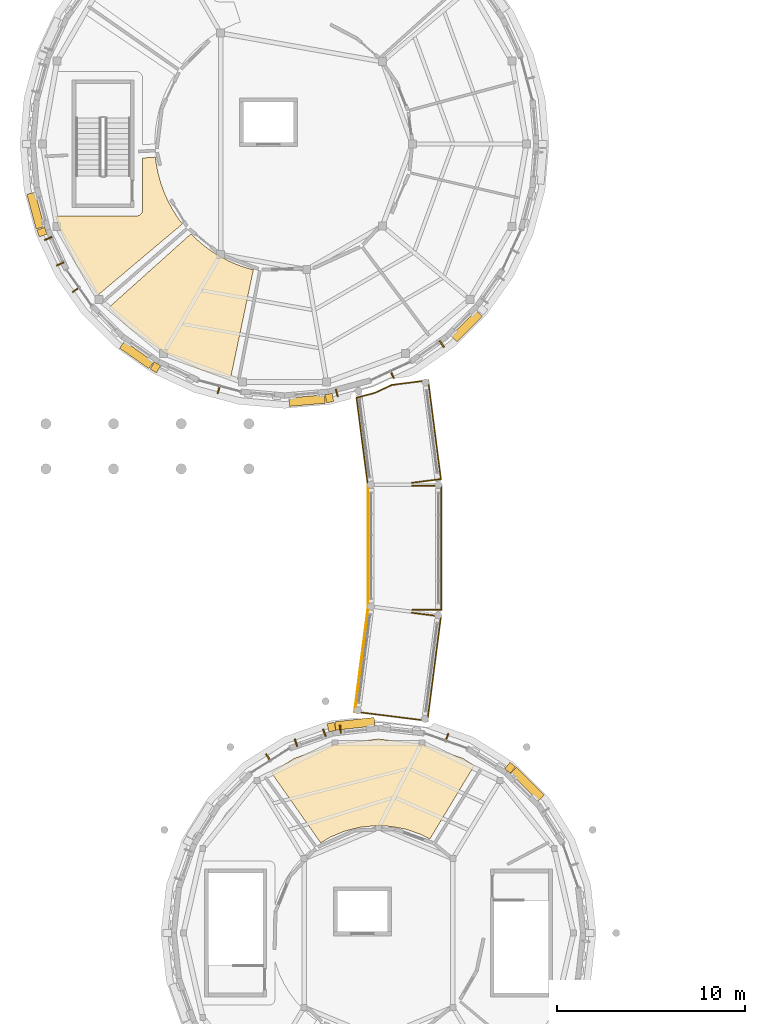
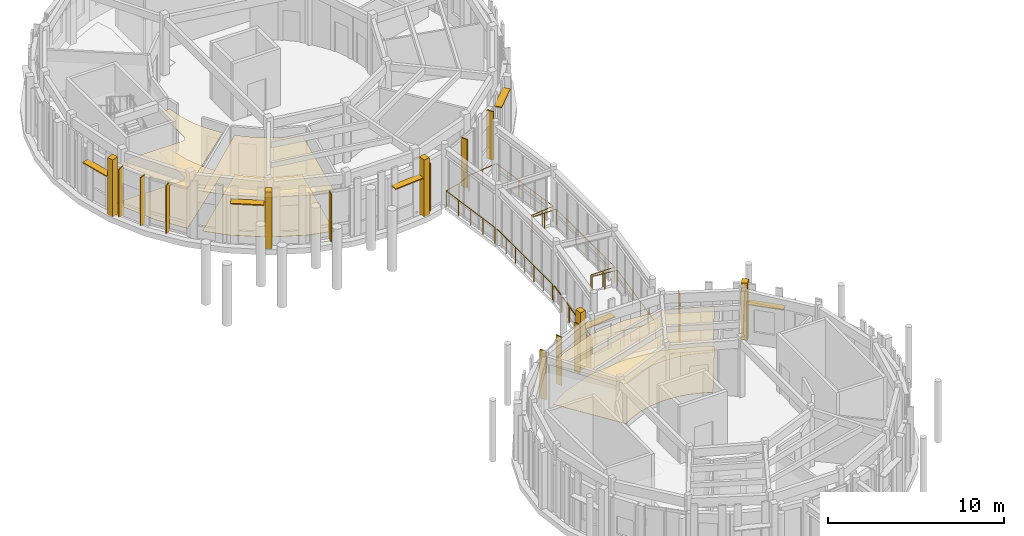
# One storey, part 73 of 80: 18 shading devices, 11 coverings, 6 railings.
"""IFC4 building model written with IfcOpenShell, lengths in metres."""

from ifc_helpers import new_model, si_unit, direction, frame, origin, origin_2d, place, context, subcontext, project, spatial, polyline, rectangle, circle, outline, extrude, material, layer, layer_set, type_object, element, save


model = new_model("IFC4")

# Units and contexts
model_context = context("Model", 3, precision=1e-05, world=origin(), true_north=direction((0.0, 1.0)))
body_context = subcontext(model_context, "Body", "Model", "MODEL_VIEW")
ifc_project = project(units=[si_unit("LENGTHUNIT", "METRE"), si_unit("AREAUNIT", "SQUARE_METRE"), si_unit("VOLUMEUNIT", "CUBIC_METRE"), si_unit("PLANEANGLEUNIT", "RADIAN"), si_unit("MASSUNIT", "GRAM", prefix="KILO")], contexts=[model_context])

# Site, building, storey
site_placement = place(None, origin())
site = spatial("IfcSite", under=ifc_project, at=site_placement, CompositionType="ELEMENT")
building_placement = place(site_placement, origin())
building = spatial("IfcBuilding", under=site, at=building_placement, Name="Aldenvaro Health Centre", CompositionType="ELEMENT")
storey_placement = place(building_placement, frame((0.0, 0.0, 4.550048828125)))
storey = spatial("IfcBuildingStorey", under=building, at=storey_placement, Name="L01", CompositionType="ELEMENT", Elevation=4.550048828125)

# Coverings
ifc_material_1 = material(Name="Antimicrobial Mineral Fibre Ceiling")
ifc_layer_1 = layer(ifc_material_1, 0.01806640625, Name="Antimicrobial Mineral Fibre Ceiling")
ifc_layer_set_1 = layer_set([ifc_layer_1], Name="Antimicrobial Mineral Fibre Ceiling")
covering_type_1 = type_object("IfcCoveringType", Name="COV-CLG-ACT18", PredefinedType="CEILING", material=ifc_layer_set_1)
covering_1_placement = place(storey_placement, frame((0.0, 0.0, 2.75)))
element("IfcCovering", 1, at=covering_1_placement, inside=storey, type_object=covering_type_1, Name="D3-L01-R01 Suspended Ceiling", PredefinedType="CEILING", context=body_context, shape_type="SweptSolid", body=[
    extrude(outline(polyline([(25.73095703125, 62.756103515625), (25.698974609375, 62.76904296875), (24.950927734375, 63.02197265625), (24.91796875, 63.031005859375), (24.14111328125, 63.173095703125), (24.10693359375, 63.177001953125), (23.318115234375, 63.20703125), (23.282958984375, 63.205078125), (22.4990234375, 63.12109375), (22.465087890625, 63.114990234375), (21.699951171875, 62.91796875), (21.6669921875, 62.906982421875), (20.93896484375, 62.60302734375), (20.907958984375, 62.5869140625), (20.423095703125, 62.2958984375), (17.800048828125, 66.028076171875), (19.02294921875, 66.7958984375), (21.2041015625, 67.55908203125), (23.5, 67.818115234375), (25.7958984375, 67.55908203125), (27.97705078125, 66.7958984375), (28.593994140625, 66.408935546875), (26.235107421875, 62.4990234375), (25.73095703125, 62.756103515625)])), origin(), (0.0, 0.0, 1.0), 0.01806640625),
])
covering_2_placement = place(storey_placement, frame((0.0, 0.0, 2.75)))
element("IfcCovering", 2, at=covering_2_placement, inside=storey, type_object=covering_type_1, Name="D4-L01-R04 Suspended Ceiling", PredefinedType="CEILING", context=body_context, shape_type="SweptSolid", body=[
    extrude(outline(polyline([(8.554931640625, 91.43896484375), (7.39794921875, 93.091064453125), (6.4541015625, 95.115966796875), (6.30810546875, 95.659912109375), (10.6201171875, 95.659912109375), (10.632080078125, 95.659912109375), (10.639892578125, 95.660888671875), (10.6630859375, 95.6630859375), (10.6708984375, 95.6640625), (10.694091796875, 95.6689453125), (10.701904296875, 95.6708984375), (10.72412109375, 95.677001953125), (10.73095703125, 95.679931640625), (10.7529296875, 95.68896484375), (10.760009765625, 95.69189453125), (10.781005859375, 95.7041015625), (10.7880859375, 95.7080078125), (10.806884765625, 95.720947265625), (10.81396484375, 95.72509765625), (10.83203125, 95.739990234375), (10.837890625, 95.74609375), (10.85400390625, 95.761962890625), (10.860107421875, 95.76806640625), (10.875, 95.785888671875), (10.87890625, 95.79296875), (10.89208984375, 95.81201171875), (10.89599609375, 95.819091796875), (10.907958984375, 95.840087890625), (10.910888671875, 95.846923828125), (10.919921875, 95.868896484375), (10.923095703125, 95.8759765625), (10.928955078125, 95.89794921875), (10.930908203125, 95.906005859375), (10.93603515625, 95.928955078125), (10.93701171875, 95.93701171875), (10.93896484375, 95.9599609375), (10.93994140625, 95.968017578125), (10.93994140625, 95.97998046875), (10.93994140625, 98.743896484375), (11.632080078125, 98.791015625), (11.6630859375, 98.4970703125), (11.666015625, 98.47802734375), (11.763916015625, 97.9609375), (11.76806640625, 97.94189453125), (11.906005859375, 97.43408203125), (11.912109375, 97.416015625), (12.090087890625, 96.919921875), (12.096923828125, 96.903076171875), (12.31298828125, 96.423095703125), (12.322021484375, 96.406005859375), (12.574951171875, 95.944091796875), (12.5849609375, 95.927978515625), (12.8740234375, 95.488037109375), (12.885009765625, 95.471923828125), (13.06689453125, 95.239013671875), (8.554931640625, 91.43896484375)])), origin(), (0.0, 0.0, 1.0), 0.01806640625),
])
covering_3_placement = place(storey_placement, frame((0.0, 0.0, 2.75)))
element("IfcCovering", 3, at=covering_3_placement, inside=storey, type_object=covering_type_1, Name="D4-L01-R05 Suspended Ceiling", PredefinedType="CEILING", context=body_context, shape_type="SweptSolid", body=[
    extrude(outline(polyline([(13.72998046875, 94.5009765625), (13.743896484375, 94.487060546875), (14.138916015625, 94.139892578125), (14.154052734375, 94.1279296875), (14.575927734375, 93.81298828125), (14.592041015625, 93.802001953125), (15.037109375, 93.52099609375), (15.052978515625, 93.510986328125), (15.51904296875, 93.26611328125), (15.537109375, 93.258056640625), (16.02099609375, 93.050048828125), (16.0380859375, 93.0439453125), (16.537109375, 92.875), (16.554931640625, 92.868896484375), (16.842041015625, 92.797119140625), (15.631103515625, 87.048095703125), (14.115966796875, 87.4541015625), (12.091064453125, 88.39794921875), (10.260009765625, 89.679931640625), (9.15087890625, 90.7890625), (13.52392578125, 94.712890625), (13.72998046875, 94.5009765625)])), origin(), (0.0, 0.0, 1.0), 0.01806640625),
])
ifc_material_2 = material(Name="Honed Sonoran Buff Limestone", Category="masonry")
ifc_layer_2 = layer(ifc_material_2, 0.280029296875, Name="Honed Sonoran Buff Limestone", Category="masonry")
ifc_layer_set_2 = layer_set([ifc_layer_2], Name="Honed Sonoran Buff Limestone")
covering_type_2 = type_object("IfcCoveringType", Name="COV-CRN-STN", PredefinedType="CLADDING", material=ifc_layer_set_2)
for number, where, z_axis, x_axis, name in (
    (4, (20.9990234375, 68.4580078125, 0.0), (0.0, 0.0, 1.0), (-0.222473549538, 0.974938726155, 0.0), "D3 L01 Engaged Classical Limestone Pilaster 11"),
    (5, (30.508056640625, 66.2880859375, 0.0), (0.0, 0.0, 1.0), (0.623485976143, 0.781834533359, 0.0), "D3 L01 Engaged Classical Limestone Pilaster 13"),
):
    element("IfcCovering", number, at=place(storey_placement, frame(where, z_axis=z_axis, x_axis=x_axis)), inside=storey, type_object=covering_type_2, Name=name, PredefinedType="CLADDING", context=body_context, shape_type="SweptSolid", body=[
        extrude(rectangle(XDim=0.43994140625, YDim=0.3798828125, at=origin_2d()), origin(), (0.0, 0.0, 1.0), 3.9599609375),
    ])
for number, where, z_axis, x_axis, name in (
    (6, (20.885986328125, 85.968994140625, -0.00048828125), (0.0, 0.0, 1.0), (0.173661868999, -0.984805338763, 0.0), "D4 L01 Engaged Classical Limestone Pilaster 05"),
    (7, (11.6298828125, 87.60107421875, -0.00048828125), (0.0, 0.0, 1.0), (-0.499991611653, -0.866030246745, 0.0), "D4 L01 Engaged Classical Limestone Pilaster 07"),
    (8, (5.589111328125, 94.801025390625, -0.00048828125), (0.0, 0.0, 1.0), (-0.939695335552, -0.342012684476, 0.0), "D4 L01 Engaged Classical Limestone Pilaster 09"),
):
    element("IfcCovering", number, at=place(storey_placement, frame(where, z_axis=z_axis, x_axis=x_axis)), inside=storey, type_object=covering_type_2, Name=name, PredefinedType="CLADDING", context=body_context, shape_type="SweptSolid", body=[
        extrude(rectangle(XDim=0.43994140625, YDim=0.3798828125, at=origin_2d()), origin(), (0.0, 0.0, 1.0), 3.955078125),
    ])
ifc_material_3 = material(Name="Polished Epoxy Terrazzo Flooring")
ifc_layer_3 = layer(ifc_material_3, 0.02197265625, Name="Polished Epoxy Terrazzo Flooring")
ifc_layer_set_3 = layer_set([ifc_layer_3], Name="Polished Epoxy Terrazzo Flooring")
covering_type_3 = type_object("IfcCoveringType", Name="COV-FLR-TER22", PredefinedType="FLOORING", material=ifc_layer_set_3)
covering_4_placement = place(storey_placement, origin())
element("IfcCovering", 9, at=covering_4_placement, inside=storey, type_object=covering_type_3, Name="D3-L01-R01 Flooring", PredefinedType="FLOORING", context=body_context, shape_type="SweptSolid", body=[
    extrude(outline(polyline([(25.73095703125, 62.756103515625), (25.698974609375, 62.76904296875), (24.950927734375, 63.02197265625), (24.91796875, 63.031005859375), (24.14111328125, 63.173095703125), (24.10693359375, 63.177001953125), (23.318115234375, 63.20703125), (23.282958984375, 63.205078125), (22.4990234375, 63.12109375), (22.465087890625, 63.114990234375), (21.699951171875, 62.91796875), (21.6669921875, 62.906982421875), (20.93896484375, 62.60302734375), (20.907958984375, 62.5869140625), (20.423095703125, 62.2958984375), (17.800048828125, 66.028076171875), (19.02294921875, 66.7958984375), (21.2041015625, 67.55908203125), (23.5, 67.818115234375), (25.7958984375, 67.55908203125), (27.97705078125, 66.7958984375), (28.593994140625, 66.408935546875), (26.235107421875, 62.4990234375), (25.73095703125, 62.756103515625)])), origin(), (0.0, 0.0, 1.0), 0.02197265625),
])
covering_5_placement = place(storey_placement, origin())
element("IfcCovering", 10, at=covering_5_placement, inside=storey, type_object=covering_type_3, Name="D4-L01-R04 Flooring", PredefinedType="FLOORING", context=body_context, shape_type="SweptSolid", body=[
    extrude(outline(polyline([(8.554931640625, 91.43896484375), (7.39794921875, 93.091064453125), (6.4541015625, 95.115966796875), (6.30810546875, 95.659912109375), (10.6201171875, 95.659912109375), (10.632080078125, 95.659912109375), (10.639892578125, 95.660888671875), (10.6630859375, 95.6630859375), (10.6708984375, 95.6640625), (10.694091796875, 95.6689453125), (10.701904296875, 95.6708984375), (10.72412109375, 95.677001953125), (10.73095703125, 95.679931640625), (10.7529296875, 95.68896484375), (10.760009765625, 95.69189453125), (10.781005859375, 95.7041015625), (10.7880859375, 95.7080078125), (10.806884765625, 95.720947265625), (10.81396484375, 95.72509765625), (10.83203125, 95.739990234375), (10.837890625, 95.74609375), (10.85400390625, 95.761962890625), (10.860107421875, 95.76806640625), (10.875, 95.785888671875), (10.87890625, 95.79296875), (10.89208984375, 95.81201171875), (10.89599609375, 95.819091796875), (10.907958984375, 95.840087890625), (10.910888671875, 95.846923828125), (10.919921875, 95.868896484375), (10.923095703125, 95.8759765625), (10.928955078125, 95.89794921875), (10.930908203125, 95.906005859375), (10.93603515625, 95.928955078125), (10.93701171875, 95.93701171875), (10.93896484375, 95.9599609375), (10.93994140625, 95.968017578125), (10.93994140625, 95.97998046875), (10.93994140625, 98.743896484375), (11.632080078125, 98.791015625), (11.6630859375, 98.4970703125), (11.666015625, 98.47802734375), (11.763916015625, 97.9609375), (11.76806640625, 97.94189453125), (11.906005859375, 97.43408203125), (11.912109375, 97.416015625), (12.090087890625, 96.919921875), (12.096923828125, 96.903076171875), (12.31298828125, 96.423095703125), (12.322021484375, 96.406005859375), (12.574951171875, 95.944091796875), (12.5849609375, 95.927978515625), (12.8740234375, 95.488037109375), (12.885009765625, 95.471923828125), (13.06689453125, 95.239013671875), (8.554931640625, 91.43896484375)])), origin(), (0.0, 0.0, 1.0), 0.02197265625),
])
covering_6_placement = place(storey_placement, origin())
element("IfcCovering", 11, at=covering_6_placement, inside=storey, type_object=covering_type_3, Name="D4-L01-R05 Flooring", PredefinedType="FLOORING", context=body_context, shape_type="SweptSolid", body=[
    extrude(outline(polyline([(13.72998046875, 94.5009765625), (13.743896484375, 94.487060546875), (14.138916015625, 94.139892578125), (14.154052734375, 94.1279296875), (14.575927734375, 93.81298828125), (14.592041015625, 93.802001953125), (15.037109375, 93.52099609375), (15.052978515625, 93.510986328125), (15.51904296875, 93.26611328125), (15.537109375, 93.258056640625), (16.02099609375, 93.050048828125), (16.0380859375, 93.0439453125), (16.537109375, 92.875), (16.554931640625, 92.868896484375), (16.842041015625, 92.797119140625), (15.631103515625, 87.048095703125), (14.115966796875, 87.4541015625), (12.091064453125, 88.39794921875), (10.260009765625, 89.679931640625), (9.15087890625, 90.7890625), (13.52392578125, 94.712890625), (13.72998046875, 94.5009765625)])), origin(), (0.0, 0.0, 1.0), 0.02197265625),
])

# Railings
ifc_material_4 = material(Name="Painted Architectural Steel", Category="steel")
railing_type = type_object("IfcRailingType", Name="RL-BAL-110", PredefinedType="GUARDRAIL", material=ifc_material_4)
railing_1_placement = place(storey_placement, frame((22.235107421875, 69.27392578125, 0.0)))
element("IfcRailing", 12, at=railing_1_placement, inside=storey, type_object=railing_type, Name="West North Curved Garden Walkway Arc 1 L01 edge guardrail 1", PredefinedType="GUARDRAIL", context=body_context, shape_type="SweptSolid", body=[
    extrude(circle(Radius=0.02392578125, at=origin_2d()), frame((0.0, 0.0, 1.09619140625), z_axis=(0.127711502201, 0.991811359184, 0.0), x_axis=(-0.991811359184, 0.127711502201, 0.0)), (0.0, 0.0, 1.0), 5.60498046875),
    extrude(circle(Radius=0.02099609375, at=origin_2d()), origin(), (0.0, 0.0, 1.0), 1.072021484375),
    extrude(circle(Radius=0.02099609375, at=origin_2d()), frame((0.14306640625, 1.11181640625, 0.0)), (0.0, 0.0, 1.0), 1.072021484375),
    extrude(circle(Radius=0.02099609375, at=origin_2d()), frame((0.286376953125, 2.2236328125, 0.0)), (0.0, 0.0, 1.0), 1.072021484375),
    extrude(circle(Radius=0.02099609375, at=origin_2d()), frame((0.429443359375, 3.33544921875, 0.0)), (0.0, 0.0, 1.0), 1.072021484375),
    extrude(circle(Radius=0.02099609375, at=origin_2d()), frame((0.57275390625, 4.447265625, 0.0)), (0.0, 0.0, 1.0), 1.072021484375),
    extrude(circle(Radius=0.02099609375, at=origin_2d()), frame((0.7158203125, 5.55908203125, 0.0)), (0.0, 0.0, 1.0), 1.072021484375),
])
railing_2_placement = place(storey_placement, frame((25.277099609375, 74.54296875, 0.0)))
element("IfcRailing", 13, at=railing_2_placement, inside=storey, type_object=railing_type, Name="West North Curved Garden Walkway Arc 1 L01 edge guardrail 2", PredefinedType="GUARDRAIL", context=body_context, shape_type="SweptSolid", body=[
    extrude(circle(Radius=0.02392578125, at=origin_2d()), frame((0.0, 0.0, 1.09619140625), z_axis=(0.991797759463, -0.127817073682, 0.0), x_axis=(0.127817073682, 0.991797759463, 0.0)), (0.0, 0.0, 1.0), 1.556640625),
    extrude(circle(Radius=0.02392578125, at=origin_2d()), frame((1.5439453125, -0.198974609375, 1.09619140625), z_axis=(-0.127848241809, -0.9917937422, 0.0), x_axis=(0.9917937422, -0.127848241809, 0.0)), (0.0, 0.0, 1.0), 5.600830078125),
    extrude(circle(Radius=0.02392578125, at=origin_2d()), frame((0.827880859375, -5.75390625, 1.09619140625), z_axis=(-0.992242203013, 0.124319791507, 0.0), x_axis=(-0.124319791507, -0.992242203013, 0.0)), (0.0, 0.0, 1.0), 3.900146484375),
    extrude(circle(Radius=0.02099609375, at=origin_2d()), origin(), (0.0, 0.0, 1.0), 1.072021484375),
    extrude(circle(Radius=0.02099609375, at=origin_2d()), frame((0.77197265625, -0.099609375, 0.0)), (0.0, 0.0, 1.0), 1.072021484375),
    extrude(circle(Radius=0.02099609375, at=origin_2d()), frame((1.5439453125, -0.198974609375, 0.0)), (0.0, 0.0, 1.0), 1.072021484375),
    extrude(circle(Radius=0.02099609375, at=origin_2d()), frame((1.400634765625, -1.31005859375, 0.0)), (0.0, 0.0, 1.0), 1.072021484375),
    extrude(circle(Radius=0.02099609375, at=origin_2d()), frame((1.257568359375, -2.4208984375, 0.0)), (0.0, 0.0, 1.0), 1.072021484375),
    extrude(circle(Radius=0.02099609375, at=origin_2d()), frame((1.1142578125, -3.531982421875, 0.0)), (0.0, 0.0, 1.0), 1.072021484375),
    extrude(circle(Radius=0.02099609375, at=origin_2d()), frame((0.97119140625, -4.642822265625, 0.0)), (0.0, 0.0, 1.0), 1.072021484375),
    extrude(circle(Radius=0.02099609375, at=origin_2d()), frame((0.827880859375, -5.75390625, 0.0)), (0.0, 0.0, 1.0), 1.072021484375),
    extrude(circle(Radius=0.02099609375, at=origin_2d()), frame((-0.1396484375, -5.6328125, 0.0)), (0.0, 0.0, 1.0), 1.072021484375),
    extrude(circle(Radius=0.02099609375, at=origin_2d()), frame((-1.10693359375, -5.511474609375, 0.0)), (0.0, 0.0, 1.0), 1.072021484375),
    extrude(circle(Radius=0.02099609375, at=origin_2d()), frame((-2.074462890625, -5.39013671875, 0.0)), (0.0, 0.0, 1.0), 1.072021484375),
    extrude(circle(Radius=0.02099609375, at=origin_2d()), frame((-3.0419921875, -5.26904296875, 0.0)), (0.0, 0.0, 1.0), 1.072021484375),
])
railing_3_placement = place(storey_placement, frame((25.287109375, 81.306884765625, 0.0)))
element("IfcRailing", 14, at=railing_3_placement, inside=storey, type_object=railing_type, Name="West North Curved Garden Walkway Arc 2 L01 edge guardrail 1", PredefinedType="GUARDRAIL", context=body_context, shape_type="SweptSolid", body=[
    extrude(circle(Radius=0.02392578125, at=origin_2d()), frame((0.0, 0.0, 1.09619140625), z_axis=(1.0, 0.0, 0.0), x_axis=(0.0, 1.0, 0.0)), (0.0, 0.0, 1.0), 1.555908203125),
    extrude(circle(Radius=0.02392578125, at=origin_2d()), frame((1.555908203125, 0.0, 1.09619140625), z_axis=(0.0, -1.0, 0.0), x_axis=(1.0, 0.0, 0.0)), (0.0, 0.0, 1.0), 6.61376953125),
    extrude(circle(Radius=0.02392578125, at=origin_2d()), frame((1.555908203125, -6.61376953125, 1.09619140625), z_axis=(-1.0, 0.0, 0.0), x_axis=(0.0, -1.0, 0.0)), (0.0, 0.0, 1.0), 1.555908203125),
    extrude(circle(Radius=0.02099609375, at=origin_2d()), origin(), (0.0, 0.0, 1.0), 1.072021484375),
    extrude(circle(Radius=0.02099609375, at=origin_2d()), frame((0.77783203125, 0.0, 0.0)), (0.0, 0.0, 1.0), 1.072021484375),
    extrude(circle(Radius=0.02099609375, at=origin_2d()), frame((1.555908203125, 0.0, 0.0)), (0.0, 0.0, 1.0), 1.072021484375),
    extrude(circle(Radius=0.02099609375, at=origin_2d()), frame((1.555908203125, -1.102294921875, 0.0)), (0.0, 0.0, 1.0), 1.072021484375),
    extrude(circle(Radius=0.02099609375, at=origin_2d()), frame((1.555908203125, -2.20458984375, 0.0)), (0.0, 0.0, 1.0), 1.072021484375),
    extrude(circle(Radius=0.02099609375, at=origin_2d()), frame((1.555908203125, -3.306884765625, 0.0)), (0.0, 0.0, 1.0), 1.072021484375),
    extrude(circle(Radius=0.02099609375, at=origin_2d()), frame((1.555908203125, -4.4091796875, 0.0)), (0.0, 0.0, 1.0), 1.072021484375),
    extrude(circle(Radius=0.02099609375, at=origin_2d()), frame((1.555908203125, -5.511474609375, 0.0)), (0.0, 0.0, 1.0), 1.072021484375),
    extrude(circle(Radius=0.02099609375, at=origin_2d()), frame((1.555908203125, -6.61376953125, 0.0)), (0.0, 0.0, 1.0), 1.072021484375),
    extrude(circle(Radius=0.02099609375, at=origin_2d()), frame((0.77783203125, -6.61376953125, 0.0)), (0.0, 0.0, 1.0), 1.072021484375),
    extrude(circle(Radius=0.02099609375, at=origin_2d()), frame((0.0, -6.61376953125, 0.0)), (0.0, 0.0, 1.0), 1.072021484375),
])
railing_4_placement = place(storey_placement, frame((22.943115234375, 74.9951171875, 0.0)))
element("IfcRailing", 15, at=railing_4_placement, inside=storey, type_object=railing_type, Name="West North Curved Garden Walkway Arc 2 L01 edge guardrail 2", PredefinedType="GUARDRAIL", context=body_context, shape_type="SweptSolid", body=[
    extrude(circle(Radius=0.02392578125, at=origin_2d()), frame((0.0, 0.0, 1.09619140625), z_axis=(0.0, 1.0, 0.0), x_axis=(-1.0, 0.0, 0.0)), (0.0, 0.0, 1.0), 6.302001953125),
    extrude(circle(Radius=0.02099609375, at=origin_2d()), origin(), (0.0, 0.0, 1.0), 1.072021484375),
    extrude(circle(Radius=0.02099609375, at=origin_2d()), frame((0.0, 1.05029296875, 0.0)), (0.0, 0.0, 1.0), 1.072021484375),
    extrude(circle(Radius=0.02099609375, at=origin_2d()), frame((0.0, 2.1005859375, 0.0)), (0.0, 0.0, 1.0), 1.072021484375),
    extrude(circle(Radius=0.02099609375, at=origin_2d()), frame((0.0, 3.15087890625, 0.0)), (0.0, 0.0, 1.0), 1.072021484375),
    extrude(circle(Radius=0.02099609375, at=origin_2d()), frame((0.0, 4.201416015625, 0.0)), (0.0, 0.0, 1.0), 1.072021484375),
    extrude(circle(Radius=0.02099609375, at=origin_2d()), frame((0.0, 5.251708984375, 0.0)), (0.0, 0.0, 1.0), 1.072021484375),
    extrude(circle(Radius=0.02099609375, at=origin_2d()), frame((0.0, 6.302001953125, 0.0)), (0.0, 0.0, 1.0), 1.072021484375),
])
railing_5_placement = place(storey_placement, frame((26.14306640625, 86.9150390625, 0.0)))
element("IfcRailing", 16, at=railing_5_placement, inside=storey, type_object=railing_type, Name="West North Curved Garden Walkway Arc 3 L01 edge guardrail 1", PredefinedType="GUARDRAIL", context=body_context, shape_type="SweptSolid", body=[
    extrude(circle(Radius=0.02392578125, at=origin_2d()), frame((0.0, 0.0, 1.09619140625), z_axis=(0.127858847107, -0.991792375055, 0.0), x_axis=(0.991792375055, 0.127858847107, 0.0)), (0.0, 0.0, 1.0), 5.302490234375),
    extrude(circle(Radius=0.02392578125, at=origin_2d()), frame((0.677978515625, -5.259033203125, 1.09619140625), z_axis=(-0.991797759463, -0.127817073682, 0.0), x_axis=(0.127817073682, -0.991797759463, 0.0)), (0.0, 0.0, 1.0), 1.556640625),
    extrude(circle(Radius=0.02099609375, at=origin_2d()), origin(), (0.0, 0.0, 1.0), 1.072021484375),
    extrude(circle(Radius=0.02099609375, at=origin_2d()), frame((0.135498046875, -1.0517578125, 0.0)), (0.0, 0.0, 1.0), 1.072021484375),
    extrude(circle(Radius=0.02099609375, at=origin_2d()), frame((0.271240234375, -2.103515625, 0.0)), (0.0, 0.0, 1.0), 1.072021484375),
    extrude(circle(Radius=0.02099609375, at=origin_2d()), frame((0.40673828125, -3.155517578125, 0.0)), (0.0, 0.0, 1.0), 1.072021484375),
    extrude(circle(Radius=0.02099609375, at=origin_2d()), frame((0.54248046875, -4.207275390625, 0.0)), (0.0, 0.0, 1.0), 1.072021484375),
    extrude(circle(Radius=0.02099609375, at=origin_2d()), frame((0.677978515625, -5.259033203125, 0.0)), (0.0, 0.0, 1.0), 1.072021484375),
    extrude(circle(Radius=0.02099609375, at=origin_2d()), frame((-0.093994140625, -5.3583984375, 0.0)), (0.0, 0.0, 1.0), 1.072021484375),
    extrude(circle(Radius=0.02099609375, at=origin_2d()), frame((-0.865966796875, -5.4580078125, 0.0)), (0.0, 0.0, 1.0), 1.072021484375),
])
railing_6_placement = place(storey_placement, frame((22.9140625, 81.45703125, 0.0)))
element("IfcRailing", 17, at=railing_6_placement, inside=storey, type_object=railing_type, Name="West North Curved Garden Walkway Arc 3 L01 edge guardrail 2", PredefinedType="GUARDRAIL", context=body_context, shape_type="SweptSolid", body=[
    extrude(circle(Radius=0.02392578125, at=origin_2d()), frame((0.0, 0.0, 1.09619140625), z_axis=(-0.127733723028, 0.991808497645, 0.0), x_axis=(-0.991808497645, -0.127733723028, 0.0)), (0.0, 0.0, 1.0), 4.564208984375),
    extrude(circle(Radius=0.02392578125, at=origin_2d()), frame((-0.5830078125, 4.52685546875, 1.09619140625), z_axis=(0.965765511681, 0.259416607887, 0.0), x_axis=(-0.259416607887, 0.965765511681, 0.0)), (0.0, 0.0, 1.0), 1.02197265625),
    extrude(circle(Radius=0.02392578125, at=origin_2d()), frame((0.404052734375, 4.7919921875, 1.09619140625), z_axis=(0.970142500145, 0.242535625036, 0.0), x_axis=(-0.242535625036, 0.970142500145, 0.0)), (0.0, 0.0, 1.0), 0.00390625),
    extrude(circle(Radius=0.02392578125, at=origin_2d()), frame((0.407958984375, 4.79296875, 1.09619140625), z_axis=(0.894427191, 0.4472135955, 0.0), x_axis=(-0.4472135955, 0.894427191, 0.0)), (0.0, 0.0, 1.0), 0.00439453125),
    extrude(circle(Radius=0.02392578125, at=origin_2d()), frame((0.411865234375, 4.794921875, 1.09619140625), z_axis=(0.906500128324, 0.42220553922, 0.0), x_axis=(-0.42220553922, 0.906500128324, 0.0)), (0.0, 0.0, 1.0), 0.98291015625),
    extrude(circle(Radius=0.02392578125, at=origin_2d()), frame((1.302978515625, 5.2099609375, 1.09619140625), z_axis=(0.991808720978, 0.12773198891, 0.0), x_axis=(-0.12773198891, 0.991808720978, 0.0)), (0.0, 0.0, 1.0), 1.94189453125),
    extrude(circle(Radius=0.02099609375, at=origin_2d()), origin(), (0.0, 0.0, 1.0), 1.072021484375),
    extrude(circle(Radius=0.02099609375, at=origin_2d()), frame((-0.145751953125, 1.1318359375, 0.0)), (0.0, 0.0, 1.0), 1.072021484375),
    extrude(circle(Radius=0.02099609375, at=origin_2d()), frame((-0.29150390625, 2.263427734375, 0.0)), (0.0, 0.0, 1.0), 1.072021484375),
    extrude(circle(Radius=0.02099609375, at=origin_2d()), frame((-0.437255859375, 3.39501953125, 0.0)), (0.0, 0.0, 1.0), 1.072021484375),
    extrude(circle(Radius=0.02099609375, at=origin_2d()), frame((-0.5830078125, 4.52685546875, 0.0)), (0.0, 0.0, 1.0), 1.072021484375),
    extrude(circle(Radius=0.02099609375, at=origin_2d()), frame((0.404052734375, 4.7919921875, 0.0)), (0.0, 0.0, 1.0), 1.072021484375),
    extrude(circle(Radius=0.02099609375, at=origin_2d()), frame((1.302978515625, 5.2099609375, 0.0)), (0.0, 0.0, 1.0), 1.072021484375),
    extrude(circle(Radius=0.02099609375, at=origin_2d()), frame((2.26611328125, 5.333984375, 0.0)), (0.0, 0.0, 1.0), 1.072021484375),
    extrude(circle(Radius=0.02099609375, at=origin_2d()), frame((3.22900390625, 5.4580078125, 0.0)), (0.0, 0.0, 1.0), 1.072021484375),
])

# Shading devices
ifc_material_5 = material(Name="Douglas Fir Exterior Glulam GL28h", Category="wood")
shading_device_type_1 = type_object("IfcShadingDeviceType", Name="SHD-FIN-205", PredefinedType="USERDEFINED", material=ifc_material_5)
shading_device_1_placement = place(storey_placement, frame((21.472900390625, 68.347900390625, -0.02001953125), z_axis=(0.0, 0.0, 1.0), x_axis=(0.993722777443, 0.111870646695, 0.0)))
element("IfcShadingDevice", 18, at=shading_device_1_placement, inside=storey, type_object=shading_device_type_1, Name="D3 L01 Douglas fir fin 21.1", ObjectType="FIN", PredefinedType="USERDEFINED", context=body_context, shape_type="SweptSolid", body=[
    extrude(rectangle(XDim=0.06494140625, YDim=0.419921875, at=origin_2d()), origin(), (0.0, 0.0, 1.0), 2.050048828125),
])
shading_device_type_2 = type_object("IfcShadingDeviceType", Name="SHD-FIN-340", PredefinedType="USERDEFINED", material=ifc_material_5)
for number, where, z_axis, x_axis, name in (
    (19, (19.110107421875, 67.625, -0.02001953125), (0.0, 0.0, 1.0), (0.943909441385, 0.330204431323, 0.0), "D3 L01 Douglas fir fin 20.1"),
    (20, (20.62109375, 68.153076171875, -0.02001953125), (0.0, 0.0, 1.0), (0.943909441385, 0.330204431323, 0.0), "D3 L01 Douglas fir fin 20.3"),
):
    element("IfcShadingDevice", number, at=place(storey_placement, frame(where, z_axis=z_axis, x_axis=x_axis)), inside=storey, type_object=shading_device_type_2, Name=name, ObjectType="FIN", PredefinedType="USERDEFINED", context=body_context, shape_type="SweptSolid", body=[
        extrude(rectangle(XDim=0.074951171875, YDim=0.419921875, at=origin_2d()), origin(), (0.0, 0.0, 1.0), 3.35400390625),
    ])
shading_device_2_placement = place(storey_placement, frame((24.22998046875, 87.2109375, -0.01953125), z_axis=(0.0, 0.0, 1.0), x_axis=(-0.90633620484, -0.422557314215, 0.0)))
element("IfcShadingDevice", 21, at=shading_device_2_placement, inside=storey, type_object=shading_device_type_2, Name="D4 L01 vertical timber fin 7.0", ObjectType="FIN", PredefinedType="USERDEFINED", context=body_context, shape_type="SweptSolid", body=[
    extrude(rectangle(XDim=0.074951171875, YDim=0.419921875, at=origin_2d()), origin(), (0.0, 0.0, 1.0), 3.34912109375),
])
shading_device_type_3 = type_object("IfcShadingDeviceType", Name="SHD-FIN-380", PredefinedType="USERDEFINED", material=ifc_material_5)
shading_device_3_placement = place(storey_placement, frame((17.6259765625, 66.84912109375, -0.02001953125), z_axis=(0.0, 0.0, 1.0), x_axis=(0.846684003256, 0.532096042675, 0.0)))
element("IfcShadingDevice", 22, at=shading_device_3_placement, inside=storey, type_object=shading_device_type_3, Name="D3 L01 vertical timber fin 19.0", ObjectType="FIN", PredefinedType="USERDEFINED", context=body_context, shape_type="SweptSolid", body=[
    extrude(rectangle(XDim=0.074951171875, YDim=0.419921875, at=origin_2d()), origin(), (0.0, 0.0, 1.0), 3.35400390625),
])
shading_device_4_placement = place(storey_placement, frame((26.868896484375, 88.85107421875, -0.01953125), z_axis=(0.0, 0.0, 1.0), x_axis=(-0.819050849853, -0.573720929857, 0.0)))
element("IfcShadingDevice", 23, at=shading_device_4_placement, inside=storey, type_object=shading_device_type_3, Name="D4 L01 Douglas fir fin 6.1", ObjectType="FIN", PredefinedType="USERDEFINED", context=body_context, shape_type="SweptSolid", body=[
    extrude(rectangle(XDim=0.074951171875, YDim=0.419921875, at=origin_2d()), origin(), (0.0, 0.0, 1.0), 3.34912109375),
])
shading_device_type_4 = type_object("IfcShadingDeviceType", Name="SHD-FIN-400", PredefinedType="USERDEFINED", material=ifc_material_5)
shading_device_5_placement = place(storey_placement, frame((14.990966796875, 86.403076171875, -0.01953125), z_axis=(0.0, 0.0, 1.0), x_axis=(-0.965978620089, 0.258621935517, 0.0)))
element("IfcShadingDevice", 24, at=shading_device_5_placement, inside=storey, type_object=shading_device_type_4, Name="D4 L01 vertical timber fin 11.0", ObjectType="FIN", PredefinedType="USERDEFINED", context=body_context, shape_type="SweptSolid", body=[
    extrude(rectangle(XDim=0.06494140625, YDim=0.419921875, at=origin_2d()), origin(), (0.0, 0.0, 1.0), 3.34912109375),
])
shading_device_type_5 = type_object("IfcShadingDeviceType", Name="SHD-FIN-420", PredefinedType="USERDEFINED", material=ifc_material_5)
shading_device_6_placement = place(storey_placement, frame((27.14599609375, 67.922119140625, -0.02001953125), z_axis=(0.0, 0.0, 1.0), x_axis=(0.943909441385, -0.330204431323, 0.0)))
element("IfcShadingDevice", 25, at=shading_device_6_placement, inside=storey, type_object=shading_device_type_5, Name="D3 L01 vertical timber fin 23.0", ObjectType="FIN", PredefinedType="USERDEFINED", context=body_context, shape_type="SweptSolid", body=[
    extrude(rectangle(XDim=0.06494140625, YDim=0.419921875, at=origin_2d()), origin(), (0.0, 0.0, 1.0), 3.35400390625),
])
for number, where, z_axis, x_axis, name in (
    (26, (6.55908203125, 93.10693359375, -0.01953125), (0.0, 0.0, 1.0), (-0.422557314215, 0.90633620484, 0.0), "D4 L01 Douglas fir fin 16.1"),
    (27, (5.927001953125, 94.4619140625, -0.01953125), (0.0, 0.0, 1.0), (-0.422557314215, 0.90633620484, 0.0), "D4 L01 Douglas fir fin 16.3"),
):
    element("IfcShadingDevice", number, at=place(storey_placement, frame(where, z_axis=z_axis, x_axis=x_axis)), inside=storey, type_object=shading_device_type_5, Name=name, ObjectType="FIN", PredefinedType="USERDEFINED", context=body_context, shape_type="SweptSolid", body=[
        extrude(rectangle(XDim=0.06494140625, YDim=0.419921875, at=origin_2d()), origin(), (0.0, 0.0, 1.0), 3.34912109375),
    ])
shading_device_type_6 = type_object("IfcShadingDeviceType", Name="SHD-FIN-435", PredefinedType="USERDEFINED", material=ifc_material_5)
shading_device_7_placement = place(storey_placement, frame((7.39306640625, 91.722900390625, -0.01953125), z_axis=(0.0, 0.0, 1.0), x_axis=(-0.573720929857, 0.819050849853, 0.0)))
element("IfcShadingDevice", 28, at=shading_device_7_placement, inside=storey, type_object=shading_device_type_6, Name="D4 L01 vertical timber fin 15.0", ObjectType="FIN", PredefinedType="USERDEFINED", context=body_context, shape_type="SweptSolid", body=[
    extrude(rectangle(XDim=0.06494140625, YDim=0.419921875, at=origin_2d()), origin(), (0.0, 0.0, 1.0), 3.34912109375),
])
shading_device_type_7 = type_object("IfcShadingDeviceType", Name="SHD-FIN-455", PredefinedType="USERDEFINED", material=ifc_material_5)
shading_device_8_placement = place(storey_placement, frame((21.278076171875, 86.243896484375, -0.01953125), z_axis=(0.0, 0.0, 1.0), x_axis=(-0.965978620089, -0.258621935517, 0.0)))
element("IfcShadingDevice", 29, at=shading_device_8_placement, inside=storey, type_object=shading_device_type_7, Name="D4 L01 Douglas fir fin 8.3", ObjectType="FIN", PredefinedType="USERDEFINED", context=body_context, shape_type="SweptSolid", body=[
    extrude(rectangle(XDim=0.06494140625, YDim=0.419921875, at=origin_2d()), origin(), (0.0, 0.0, 1.0), 3.34912109375),
])
shading_device_type_8 = type_object("IfcShadingDeviceType", Name="SHD-LVR-190", PredefinedType="JALOUSIE", material=ifc_material_5)
for number, where, z_axis, x_axis, name in (
    (30, (28.200927734375, 89.799072265625, 3.1474609375), (0.0, 0.0, 1.0), (-0.707106781187, -0.707106781187, 0.0), "D4 L01 horizontal solar louvre 05"),
    (31, (19.696044921875, 85.8330078125, 2.697509765625), (0.0, 0.0, 1.0), (-0.996179299052, -0.087331575855, 0.0), "D4 L01 horizontal solar louvre 09"),
    (32, (10.631103515625, 88.261962890625, 2.99755859375), (0.0, 0.0, 1.0), (-0.819050849853, 0.573720929857, 0.0), "D4 L01 horizontal solar louvre 13"),
    (33, (5.2490234375, 95.949951171875, 2.597412109375), (0.0, 0.0, 1.0), (-0.258621935517, 0.965978620089, 0.0), "D4 L01 horizontal solar louvre 17"),
):
    element("IfcShadingDevice", number, at=place(storey_placement, frame(where, z_axis=z_axis, x_axis=x_axis)), inside=storey, type_object=shading_device_type_8, Name=name, PredefinedType="JALOUSIE", context=body_context, shape_type="SweptSolid", body=[
        extrude(rectangle(XDim=1.89990234375, YDim=0.449951171875, at=origin_2d()), origin(), (0.0, 0.0, 1.0), 0.06494140625),
    ])
shading_device_type_9 = type_object("IfcShadingDeviceType", Name="SHD-LVR-210", PredefinedType="JALOUSIE", material=ifc_material_5)
for number, where, z_axis, x_axis, name in (
    (34, (22.24609375, 68.631103515625, 2.597412109375), (0.0, 0.0, 1.0), (0.993722777443, 0.111870646695, 0.0), "D3 L01 horizontal solar louvre 21"),
    (35, (31.419921875, 65.4208984375, 2.447509765625), (0.0, 0.0, 1.0), (0.707106781187, -0.707106781187, 0.0), "D3 L01 horizontal solar louvre 25"),
):
    element("IfcShadingDevice", number, at=place(storey_placement, frame(where, z_axis=z_axis, x_axis=x_axis)), inside=storey, type_object=shading_device_type_9, Name=name, PredefinedType="JALOUSIE", context=body_context, shape_type="SweptSolid", body=[
        extrude(rectangle(XDim=2.10009765625, YDim=0.449951171875, at=origin_2d()), origin(), (0.0, 0.0, 1.0), 0.06494140625),
    ])

save(model, "model.ifc")
